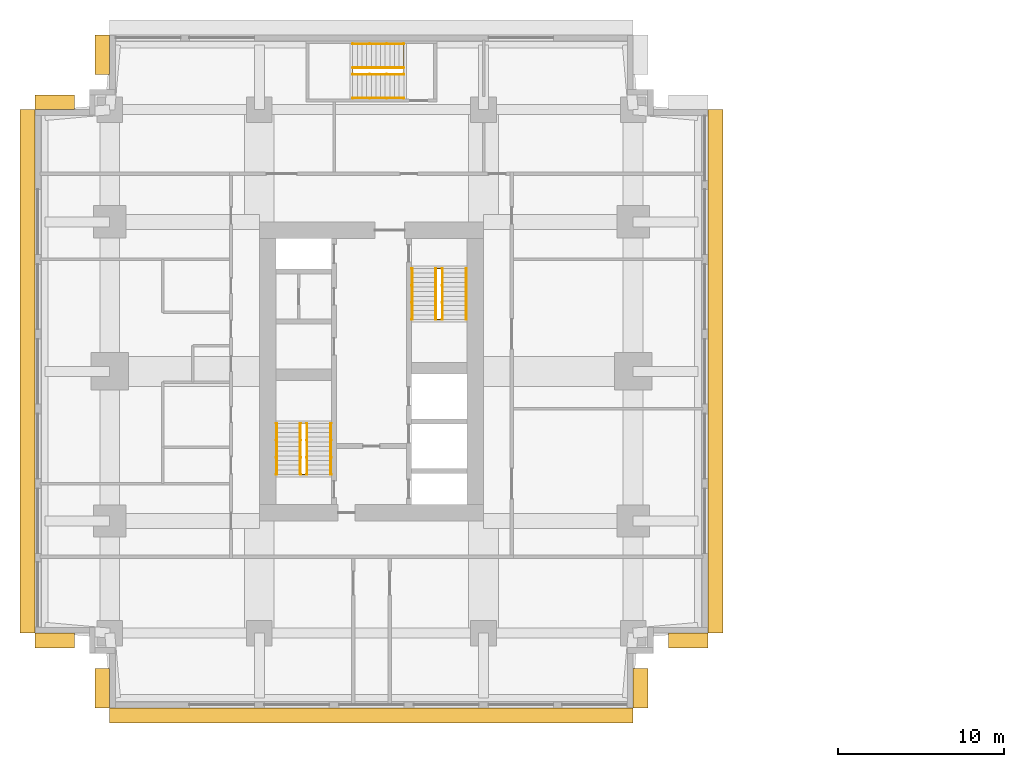
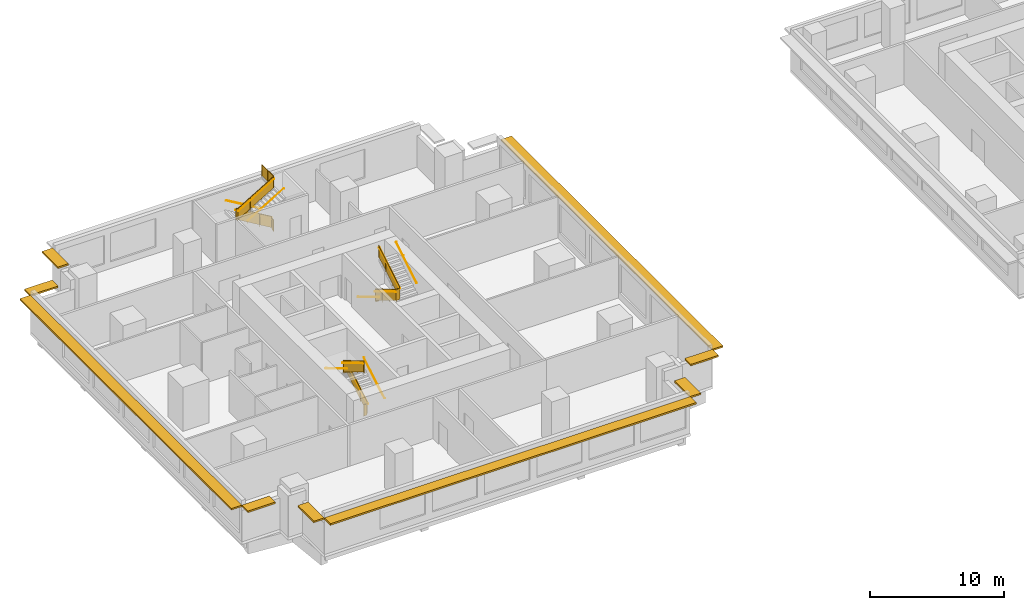
# One storey, part 9 of 10: 15 railings, 9 shading devices.
"""IFC4 building model written with IfcOpenShell, lengths in metres."""

from ifc_helpers import new_model, si_unit, direction, frame, origin, origin_2d, place, context, subcontext, project, spatial, polyline, rectangle, circle, outline, extrude, material, layer, layer_set, type_object, element, save


model = new_model("IFC4")

# Units and contexts
model_context = context("Model", 3, precision=1e-05, world=origin(), true_north=direction((0.0, 1.0)))
body_context = subcontext(model_context, "Body", "Model", "MODEL_VIEW")
ifc_project = project(units=[si_unit("LENGTHUNIT", "METRE"), si_unit("AREAUNIT", "SQUARE_METRE"), si_unit("VOLUMEUNIT", "CUBIC_METRE"), si_unit("PLANEANGLEUNIT", "RADIAN"), si_unit("MASSUNIT", "GRAM", prefix="KILO")], contexts=[model_context])

# Site, building, storey
site_placement = place(None, origin())
site = spatial("IfcSite", under=ifc_project, at=site_placement, CompositionType="ELEMENT")
building_placement = place(site_placement, origin())
building = spatial("IfcBuilding", under=site, at=building_placement, Name="Namib Vertical Campus", CompositionType="ELEMENT")
storey_placement = place(building_placement, frame((0.0, 0.0, 229.0)))
storey = spatial("IfcBuildingStorey", under=building, at=storey_placement, Name="L54", CompositionType="ELEMENT", Elevation=229.0)

# Railings
ifc_material_1 = material(Name="Steel handrail", Category="steel")
railing_type_1 = type_object("IfcRailingType", Name="Handrail 900", PredefinedType="HANDRAIL", material=ifc_material_1)
railing_1_placement = place(storey_placement, frame((17.800048828125, 14.050048828125, 0.166748046875)))
element("IfcRailing", 1, at=railing_1_placement, inside=storey, type_object=railing_type_1, Name="Handrail HR1 A-S1 L54 1", PredefinedType="HANDRAIL", context=body_context, shape_type="SweptSolid", body=[
    extrude(circle(Radius=0.02392578125, at=origin_2d()), frame((0.0, 0.0, 0.8759765625), z_axis=(0.0, 0.859290745958, 0.51148745235), x_axis=(-1.0, 0.0, 0.0)), (0.0, 0.0, 1.0), 3.584228515625),
    extrude(circle(Radius=0.008056640625, at=origin_2d()), frame((0.0, 0.0, 0.8759765625), z_axis=(1.0, 0.0, 0.0), x_axis=(0.0, 0.0, 1.0)), (0.0, 0.0, 1.0), 0.050048828125),
    extrude(circle(Radius=0.008056640625, at=origin_2d()), frame((0.0, 1.026611328125, 1.48681640625), z_axis=(1.0, 0.0, 0.0), x_axis=(0.0, 0.0, 1.0)), (0.0, 0.0, 1.0), 0.050048828125),
    extrude(circle(Radius=0.008056640625, at=origin_2d()), frame((0.0, 2.05322265625, 2.09814453125), z_axis=(1.0, 0.0, 0.0), x_axis=(0.0, 0.0, 1.0)), (0.0, 0.0, 1.0), 0.050048828125),
    extrude(circle(Radius=0.008056640625, at=origin_2d()), frame((0.0, 3.079833984375, 2.708984375), z_axis=(1.0, 0.0, 0.0), x_axis=(0.0, 0.0, 1.0)), (0.0, 0.0, 1.0), 0.050048828125),
])
railing_2_placement = place(storey_placement, frame((14.550048828125, 17.1298828125, 2.166748046875)))
element("IfcRailing", 2, at=railing_2_placement, inside=storey, type_object=railing_type_1, Name="Handrail HR1 A-S1 L54 2", PredefinedType="HANDRAIL", context=body_context, shape_type="SweptSolid", body=[
    extrude(circle(Radius=0.02392578125, at=origin_2d()), frame((0.0, 0.0, 0.8759765625), z_axis=(0.0, -0.859290745958, 0.51148745235), x_axis=(1.0, 0.0, 0.0)), (0.0, 0.0, 1.0), 3.584228515625),
    extrude(circle(Radius=0.008056640625, at=origin_2d()), frame((0.0, 0.0, 0.8759765625), z_axis=(-1.0, 0.0, 0.0), x_axis=(0.0, 0.0, 1.0)), (0.0, 0.0, 1.0), 0.050048828125),
    extrude(circle(Radius=0.008056640625, at=origin_2d()), frame((0.0, -1.026611328125, 1.48681640625), z_axis=(-1.0, 0.0, 0.0), x_axis=(0.0, 0.0, 1.0)), (0.0, 0.0, 1.0), 0.050048828125),
    extrude(circle(Radius=0.008056640625, at=origin_2d()), frame((0.0, -2.05322265625, 2.09814453125), z_axis=(-1.0, 0.0, 0.0), x_axis=(0.0, 0.0, 1.0)), (0.0, 0.0, 1.0), 0.050048828125),
    extrude(circle(Radius=0.008056640625, at=origin_2d()), frame((0.0, -3.079833984375, 2.708984375), z_axis=(-1.0, 0.0, 0.0), x_axis=(0.0, 0.0, 1.0)), (0.0, 0.0, 1.0), 0.050048828125),
])
railing_3_placement = place(storey_placement, frame((16.375, 14.050048828125, 0.166748046875)))
element("IfcRailing", 3, at=railing_3_placement, inside=storey, type_object=railing_type_1, Name="Handrail HR1 A-S1 L54 1 at the well", PredefinedType="HANDRAIL", context=body_context, shape_type="SweptSolid", body=[
    extrude(circle(Radius=0.02392578125, at=origin_2d()), frame((0.0, 0.0, 0.8759765625), z_axis=(0.0, 0.859290745958, 0.51148745235), x_axis=(-1.0, 0.0, 0.0)), (0.0, 0.0, 1.0), 3.584228515625),
    extrude(circle(Radius=0.008056640625, at=origin_2d()), frame((0.0, 0.0, 0.8759765625), z_axis=(-1.0, 0.0, 0.0), x_axis=(0.0, 0.0, 1.0)), (0.0, 0.0, 1.0), 0.0400390625),
    extrude(circle(Radius=0.008056640625, at=origin_2d()), frame((0.0, 1.026611328125, 1.48681640625), z_axis=(-1.0, 0.0, 0.0), x_axis=(0.0, 0.0, 1.0)), (0.0, 0.0, 1.0), 0.0400390625),
    extrude(circle(Radius=0.008056640625, at=origin_2d()), frame((0.0, 2.05322265625, 2.09814453125), z_axis=(-1.0, 0.0, 0.0), x_axis=(0.0, 0.0, 1.0)), (0.0, 0.0, 1.0), 0.0400390625),
    extrude(circle(Radius=0.008056640625, at=origin_2d()), frame((0.0, 3.079833984375, 2.708984375), z_axis=(-1.0, 0.0, 0.0), x_axis=(0.0, 0.0, 1.0)), (0.0, 0.0, 1.0), 0.0400390625),
])
railing_4_placement = place(storey_placement, frame((15.97509765625, 17.1298828125, 2.166748046875)))
element("IfcRailing", 4, at=railing_4_placement, inside=storey, type_object=railing_type_1, Name="Handrail HR1 A-S1 L54 2 at the well", PredefinedType="HANDRAIL", context=body_context, shape_type="SweptSolid", body=[
    extrude(circle(Radius=0.02392578125, at=origin_2d()), frame((0.0, 0.0, 0.8759765625), z_axis=(0.0, -0.859290745958, 0.51148745235), x_axis=(1.0, 0.0, 0.0)), (0.0, 0.0, 1.0), 3.584228515625),
    extrude(circle(Radius=0.008056640625, at=origin_2d()), frame((0.0, 0.0, 0.8759765625), z_axis=(1.0, 0.0, 0.0), x_axis=(0.0, 0.0, 1.0)), (0.0, 0.0, 1.0), 0.0400390625),
    extrude(circle(Radius=0.008056640625, at=origin_2d()), frame((0.0, -1.026611328125, 1.48681640625), z_axis=(1.0, 0.0, 0.0), x_axis=(0.0, 0.0, 1.0)), (0.0, 0.0, 1.0), 0.0400390625),
    extrude(circle(Radius=0.008056640625, at=origin_2d()), frame((0.0, -2.05322265625, 2.09814453125), z_axis=(1.0, 0.0, 0.0), x_axis=(0.0, 0.0, 1.0)), (0.0, 0.0, 1.0), 0.0400390625),
    extrude(circle(Radius=0.008056640625, at=origin_2d()), frame((0.0, -3.079833984375, 2.708984375), z_axis=(1.0, 0.0, 0.0), x_axis=(0.0, 0.0, 1.0)), (0.0, 0.0, 1.0), 0.0400390625),
])
railing_5_placement = place(storey_placement, frame((22.699951171875, 26.449951171875, 0.166748046875)))
element("IfcRailing", 5, at=railing_5_placement, inside=storey, type_object=railing_type_1, Name="Handrail HR1 A-S2 L54 1", PredefinedType="HANDRAIL", context=body_context, shape_type="SweptSolid", body=[
    extrude(circle(Radius=0.02392578125, at=origin_2d()), frame((0.0, 0.0, 0.8759765625), z_axis=(0.0, -0.859290745958, 0.51148745235), x_axis=(1.0, 0.0, 0.0)), (0.0, 0.0, 1.0), 3.584228515625),
    extrude(circle(Radius=0.008056640625, at=origin_2d()), frame((0.0, 0.0, 0.8759765625), z_axis=(-1.0, 0.0, 0.0), x_axis=(0.0, 0.0, 1.0)), (0.0, 0.0, 1.0), 0.050048828125),
    extrude(circle(Radius=0.008056640625, at=origin_2d()), frame((0.0, -1.026611328125, 1.48681640625), z_axis=(-1.0, 0.0, 0.0), x_axis=(0.0, 0.0, 1.0)), (0.0, 0.0, 1.0), 0.050048828125),
    extrude(circle(Radius=0.008056640625, at=origin_2d()), frame((0.0, -2.05322265625, 2.09814453125), z_axis=(-1.0, 0.0, 0.0), x_axis=(0.0, 0.0, 1.0)), (0.0, 0.0, 1.0), 0.050048828125),
    extrude(circle(Radius=0.008056640625, at=origin_2d()), frame((0.0, -3.079833984375, 2.708984375), z_axis=(-1.0, 0.0, 0.0), x_axis=(0.0, 0.0, 1.0)), (0.0, 0.0, 1.0), 0.050048828125),
])
railing_6_placement = place(storey_placement, frame((25.949951171875, 23.3701171875, 2.166748046875)))
element("IfcRailing", 6, at=railing_6_placement, inside=storey, type_object=railing_type_1, Name="Handrail HR1 A-S2 L54 2", PredefinedType="HANDRAIL", context=body_context, shape_type="SweptSolid", body=[
    extrude(circle(Radius=0.02392578125, at=origin_2d()), frame((0.0, 0.0, 0.8759765625), z_axis=(0.0, 0.859290745958, 0.51148745235), x_axis=(-1.0, 0.0, 0.0)), (0.0, 0.0, 1.0), 3.584228515625),
    extrude(circle(Radius=0.008056640625, at=origin_2d()), frame((0.0, 0.0, 0.8759765625), z_axis=(1.0, 0.0, 0.0), x_axis=(0.0, 0.0, 1.0)), (0.0, 0.0, 1.0), 0.050048828125),
    extrude(circle(Radius=0.008056640625, at=origin_2d()), frame((0.0, 1.026611328125, 1.48681640625), z_axis=(1.0, 0.0, 0.0), x_axis=(0.0, 0.0, 1.0)), (0.0, 0.0, 1.0), 0.050048828125),
    extrude(circle(Radius=0.008056640625, at=origin_2d()), frame((0.0, 2.05322265625, 2.09814453125), z_axis=(1.0, 0.0, 0.0), x_axis=(0.0, 0.0, 1.0)), (0.0, 0.0, 1.0), 0.050048828125),
    extrude(circle(Radius=0.008056640625, at=origin_2d()), frame((0.0, 3.079833984375, 2.708984375), z_axis=(1.0, 0.0, 0.0), x_axis=(0.0, 0.0, 1.0)), (0.0, 0.0, 1.0), 0.050048828125),
])
railing_7_placement = place(storey_placement, frame((24.125, 26.449951171875, 0.166748046875)))
element("IfcRailing", 7, at=railing_7_placement, inside=storey, type_object=railing_type_1, Name="Handrail HR1 A-S2 L54 1 at the well", PredefinedType="HANDRAIL", context=body_context, shape_type="SweptSolid", body=[
    extrude(circle(Radius=0.02392578125, at=origin_2d()), frame((0.0, 0.0, 0.8759765625), z_axis=(0.0, -0.859290745958, 0.51148745235), x_axis=(1.0, 0.0, 0.0)), (0.0, 0.0, 1.0), 3.584228515625),
    extrude(circle(Radius=0.008056640625, at=origin_2d()), frame((0.0, 0.0, 0.8759765625), z_axis=(1.0, 0.0, 0.0), x_axis=(0.0, 0.0, 1.0)), (0.0, 0.0, 1.0), 0.0400390625),
    extrude(circle(Radius=0.008056640625, at=origin_2d()), frame((0.0, -1.026611328125, 1.48681640625), z_axis=(1.0, 0.0, 0.0), x_axis=(0.0, 0.0, 1.0)), (0.0, 0.0, 1.0), 0.0400390625),
    extrude(circle(Radius=0.008056640625, at=origin_2d()), frame((0.0, -2.05322265625, 2.09814453125), z_axis=(1.0, 0.0, 0.0), x_axis=(0.0, 0.0, 1.0)), (0.0, 0.0, 1.0), 0.0400390625),
    extrude(circle(Radius=0.008056640625, at=origin_2d()), frame((0.0, -3.079833984375, 2.708984375), z_axis=(1.0, 0.0, 0.0), x_axis=(0.0, 0.0, 1.0)), (0.0, 0.0, 1.0), 0.0400390625),
])
railing_8_placement = place(storey_placement, frame((24.52490234375, 23.3701171875, 2.166748046875)))
element("IfcRailing", 8, at=railing_8_placement, inside=storey, type_object=railing_type_1, Name="Handrail HR1 A-S2 L54 2 at the well", PredefinedType="HANDRAIL", context=body_context, shape_type="SweptSolid", body=[
    extrude(circle(Radius=0.02392578125, at=origin_2d()), frame((0.0, 0.0, 0.8759765625), z_axis=(0.0, 0.859290745958, 0.51148745235), x_axis=(-1.0, 0.0, 0.0)), (0.0, 0.0, 1.0), 3.584228515625),
    extrude(circle(Radius=0.008056640625, at=origin_2d()), frame((0.0, 0.0, 0.8759765625), z_axis=(-1.0, 0.0, 0.0), x_axis=(0.0, 0.0, 1.0)), (0.0, 0.0, 1.0), 0.0400390625),
    extrude(circle(Radius=0.008056640625, at=origin_2d()), frame((0.0, 1.026611328125, 1.48681640625), z_axis=(-1.0, 0.0, 0.0), x_axis=(0.0, 0.0, 1.0)), (0.0, 0.0, 1.0), 0.0400390625),
    extrude(circle(Radius=0.008056640625, at=origin_2d()), frame((0.0, 2.05322265625, 2.09814453125), z_axis=(-1.0, 0.0, 0.0), x_axis=(0.0, 0.0, 1.0)), (0.0, 0.0, 1.0), 0.0400390625),
    extrude(circle(Radius=0.008056640625, at=origin_2d()), frame((0.0, 3.079833984375, 2.708984375), z_axis=(-1.0, 0.0, 0.0), x_axis=(0.0, 0.0, 1.0)), (0.0, 0.0, 1.0), 0.0400390625),
])
railing_9_placement = place(storey_placement, frame((22.199951171875, 39.949951171875, 0.166748046875)))
element("IfcRailing", 9, at=railing_9_placement, inside=storey, type_object=railing_type_1, Name="Handrail HR1 A-S3 L54 1", PredefinedType="HANDRAIL", context=body_context, shape_type="SweptSolid", body=[
    extrude(circle(Radius=0.02392578125, at=origin_2d()), frame((0.0, 0.0, 0.8759765625), z_axis=(-0.859290745958, 0.0, 0.51148745235), x_axis=(0.0, -1.0, 0.0)), (0.0, 0.0, 1.0), 3.584228515625),
    extrude(circle(Radius=0.008056640625, at=origin_2d()), frame((0.0, 0.0, 0.8759765625), z_axis=(0.0, 1.0, 0.0), x_axis=(0.0, 0.0, 1.0)), (0.0, 0.0, 1.0), 0.050048828125),
    extrude(circle(Radius=0.008056640625, at=origin_2d()), frame((-1.026611328125, 0.0, 1.48681640625), z_axis=(0.0, 1.0, 0.0), x_axis=(0.0, 0.0, 1.0)), (0.0, 0.0, 1.0), 0.050048828125),
    extrude(circle(Radius=0.008056640625, at=origin_2d()), frame((-2.05322265625, 0.0, 2.09814453125), z_axis=(0.0, 1.0, 0.0), x_axis=(0.0, 0.0, 1.0)), (0.0, 0.0, 1.0), 0.050048828125),
    extrude(circle(Radius=0.008056640625, at=origin_2d()), frame((-3.079833984375, 0.0, 2.708984375), z_axis=(0.0, 1.0, 0.0), x_axis=(0.0, 0.0, 1.0)), (0.0, 0.0, 1.0), 0.050048828125),
])
railing_10_placement = place(storey_placement, frame((19.1201171875, 36.699951171875, 2.166748046875)))
element("IfcRailing", 10, at=railing_10_placement, inside=storey, type_object=railing_type_1, Name="Handrail HR1 A-S3 L54 2", PredefinedType="HANDRAIL", context=body_context, shape_type="SweptSolid", body=[
    extrude(circle(Radius=0.02392578125, at=origin_2d()), frame((0.0, 0.0, 0.8759765625), z_axis=(0.859290745958, 0.0, 0.51148745235), x_axis=(0.0, 1.0, 0.0)), (0.0, 0.0, 1.0), 3.584228515625),
    extrude(circle(Radius=0.008056640625, at=origin_2d()), frame((0.0, 0.0, 0.8759765625), z_axis=(0.0, -1.0, 0.0), x_axis=(0.0, 0.0, 1.0)), (0.0, 0.0, 1.0), 0.050048828125),
    extrude(circle(Radius=0.008056640625, at=origin_2d()), frame((1.026611328125, 0.0, 1.48681640625), z_axis=(0.0, -1.0, 0.0), x_axis=(0.0, 0.0, 1.0)), (0.0, 0.0, 1.0), 0.050048828125),
    extrude(circle(Radius=0.008056640625, at=origin_2d()), frame((2.05322265625, 0.0, 2.09814453125), z_axis=(0.0, -1.0, 0.0), x_axis=(0.0, 0.0, 1.0)), (0.0, 0.0, 1.0), 0.050048828125),
    extrude(circle(Radius=0.008056640625, at=origin_2d()), frame((3.079833984375, 0.0, 2.708984375), z_axis=(0.0, -1.0, 0.0), x_axis=(0.0, 0.0, 1.0)), (0.0, 0.0, 1.0), 0.050048828125),
])
railing_11_placement = place(storey_placement, frame((22.199951171875, 38.52490234375, 0.166748046875)))
element("IfcRailing", 11, at=railing_11_placement, inside=storey, type_object=railing_type_1, Name="Handrail HR1 A-S3 L54 1 at the well", PredefinedType="HANDRAIL", context=body_context, shape_type="SweptSolid", body=[
    extrude(circle(Radius=0.02392578125, at=origin_2d()), frame((0.0, 0.0, 0.8759765625), z_axis=(-0.859290745958, 0.0, 0.51148745235), x_axis=(0.0, -1.0, 0.0)), (0.0, 0.0, 1.0), 3.584228515625),
    extrude(circle(Radius=0.008056640625, at=origin_2d()), frame((0.0, 0.0, 0.8759765625), z_axis=(0.0, -1.0, 0.0), x_axis=(0.0, 0.0, 1.0)), (0.0, 0.0, 1.0), 0.0400390625),
    extrude(circle(Radius=0.008056640625, at=origin_2d()), frame((-1.026611328125, 0.0, 1.48681640625), z_axis=(0.0, -1.0, 0.0), x_axis=(0.0, 0.0, 1.0)), (0.0, 0.0, 1.0), 0.0400390625),
    extrude(circle(Radius=0.008056640625, at=origin_2d()), frame((-2.05322265625, 0.0, 2.09814453125), z_axis=(0.0, -1.0, 0.0), x_axis=(0.0, 0.0, 1.0)), (0.0, 0.0, 1.0), 0.0400390625),
    extrude(circle(Radius=0.008056640625, at=origin_2d()), frame((-3.079833984375, 0.0, 2.708984375), z_axis=(0.0, -1.0, 0.0), x_axis=(0.0, 0.0, 1.0)), (0.0, 0.0, 1.0), 0.0400390625),
])
railing_12_placement = place(storey_placement, frame((19.1201171875, 38.125, 2.166748046875)))
element("IfcRailing", 12, at=railing_12_placement, inside=storey, type_object=railing_type_1, Name="Handrail HR1 A-S3 L54 2 at the well", PredefinedType="HANDRAIL", context=body_context, shape_type="SweptSolid", body=[
    extrude(circle(Radius=0.02392578125, at=origin_2d()), frame((0.0, 0.0, 0.8759765625), z_axis=(0.859290745958, 0.0, 0.51148745235), x_axis=(0.0, 1.0, 0.0)), (0.0, 0.0, 1.0), 3.584228515625),
    extrude(circle(Radius=0.008056640625, at=origin_2d()), frame((0.0, 0.0, 0.8759765625), z_axis=(0.0, 1.0, 0.0), x_axis=(0.0, 0.0, 1.0)), (0.0, 0.0, 1.0), 0.0400390625),
    extrude(circle(Radius=0.008056640625, at=origin_2d()), frame((1.026611328125, 0.0, 1.48681640625), z_axis=(0.0, 1.0, 0.0), x_axis=(0.0, 0.0, 1.0)), (0.0, 0.0, 1.0), 0.0400390625),
    extrude(circle(Radius=0.008056640625, at=origin_2d()), frame((2.05322265625, 0.0, 2.09814453125), z_axis=(0.0, 1.0, 0.0), x_axis=(0.0, 0.0, 1.0)), (0.0, 0.0, 1.0), 0.0400390625),
    extrude(circle(Radius=0.008056640625, at=origin_2d()), frame((3.079833984375, 0.0, 2.708984375), z_axis=(0.0, 1.0, 0.0), x_axis=(0.0, 0.0, 1.0)), (0.0, 0.0, 1.0), 0.0400390625),
])
ifc_material_2 = material(Name="Steel balustrade", Category="steel")
railing_type_2 = type_object("IfcRailingType", Name="Stair guard 1100", PredefinedType="GUARDRAIL", material=ifc_material_2)
railing_13_placement = place(storey_placement, frame((16.02490234375, 14.050048828125, 0.0)))
element("IfcRailing", 13, at=railing_13_placement, inside=storey, type_object=railing_type_2, Name="Stair guard GR1 A-S1 L54", PredefinedType="GUARDRAIL", context=body_context, shape_type="SweptSolid", body=[
    extrude(circle(Radius=0.02392578125, at=origin_2d()), frame((0.0, 0.0, 1.076171875), z_axis=(1.0, 0.0, 0.0), x_axis=(0.0, 1.0, 0.0)), (0.0, 0.0, 1.0), 0.300048828125),
    extrude(outline(polyline([(0.02099609375, 0.050048828125), (0.279052734375, 0.050048828125), (0.279052734375, 1.052001953125), (0.02099609375, 1.052001953125), (0.02099609375, 0.050048828125)])), frame((0.0, 0.010009765625, 0.0), z_axis=(0.0, -1.0, 0.0), x_axis=(1.0, 0.0, 0.0)), (0.0, 0.0, 1.0), 0.02001953125),
    extrude(circle(Radius=0.02392578125, at=origin_2d()), frame((0.300048828125, 0.0, 1.076171875), z_axis=(0.0, 0.0, 1.0), x_axis=(1.0, 0.0, 0.0)), (0.0, 0.0, 1.0), 0.166748046875),
    extrude(circle(Radius=0.02392578125, at=origin_2d()), frame((0.300048828125, 0.0, 1.24267578125), z_axis=(0.0, 0.859290745958, 0.51148745235), x_axis=(-1.0, 0.0, 0.0)), (0.0, 0.0, 1.0), 3.584228515625),
    extrude(outline(polyline([(0.02099609375, 0.0625), (3.058837890625, 1.870849609375), (3.058837890625, 2.872802734375), (0.02099609375, 1.064453125), (0.02099609375, 0.0625)])), frame((0.2900390625, 0.0, 0.166748046875), z_axis=(1.0, 0.0, 0.0), x_axis=(0.0, 1.0, 0.0)), (0.0, 0.0, 1.0), 0.02001953125),
    extrude(circle(Radius=0.02392578125, at=origin_2d()), frame((0.300048828125, 3.079833984375, 3.076171875), z_axis=(-1.0, 0.0, 0.0), x_axis=(0.0, -1.0, 0.0)), (0.0, 0.0, 1.0), 0.300048828125),
    extrude(outline(polyline([(0.02099609375, 0.050048828125), (0.279052734375, 0.050048828125), (0.279052734375, 1.052001953125), (0.02099609375, 1.052001953125), (0.02099609375, 0.050048828125)])), frame((0.300048828125, 3.06982421875, 2.0), z_axis=(0.0, 1.0, 0.0), x_axis=(-1.0, 0.0, 0.0)), (0.0, 0.0, 1.0), 0.02001953125),
    extrude(circle(Radius=0.02392578125, at=origin_2d()), frame((0.0, 3.079833984375, 3.076171875), z_axis=(0.0, 0.0, 1.0), x_axis=(1.0, 0.0, 0.0)), (0.0, 0.0, 1.0), 0.166748046875),
    extrude(circle(Radius=0.02392578125, at=origin_2d()), frame((0.0, 3.079833984375, 3.24267578125), z_axis=(0.0, -0.859290745958, 0.51148745235), x_axis=(1.0, 0.0, 0.0)), (0.0, 0.0, 1.0), 3.584228515625),
    extrude(outline(polyline([(0.02099609375, 0.0625), (3.058837890625, 1.870849609375), (3.058837890625, 2.872802734375), (0.02099609375, 1.064453125), (0.02099609375, 0.0625)])), frame((0.010009765625, 3.079833984375, 2.166748046875), z_axis=(-1.0, 0.0, 0.0), x_axis=(0.0, -1.0, 0.0)), (0.0, 0.0, 1.0), 0.02001953125),
    extrude(circle(Radius=0.02392578125, at=origin_2d()), frame((0.0, 0.0, 5.076171875), z_axis=(0.0, -1.0, 0.0), x_axis=(1.0, 0.0, 0.0)), (0.0, 0.0, 1.0), 0.050048828125),
    extrude(outline(polyline([(0.02099609375, 0.050048828125), (0.029052734375, 0.050048828125), (0.029052734375, 1.052001953125), (0.02099609375, 1.052001953125), (0.02099609375, 0.050048828125)])), frame((0.010009765625, 0.0, 4.0), z_axis=(-1.0, 0.0, 0.0), x_axis=(0.0, -1.0, 0.0)), (0.0, 0.0, 1.0), 0.02001953125),
    extrude(circle(Radius=0.02099609375, at=origin_2d()), origin(), (0.0, 0.0, 1.0), 1.052001953125),
    extrude(circle(Radius=0.02099609375, at=origin_2d()), frame((0.300048828125, 0.0, 0.166748046875)), (0.0, 0.0, 1.0), 1.052001953125),
    extrude(circle(Radius=0.02099609375, at=origin_2d()), frame((0.300048828125, 1.026611328125, 0.666748046875)), (0.0, 0.0, 1.0), 1.1630859375),
    extrude(circle(Radius=0.02099609375, at=origin_2d()), frame((0.300048828125, 2.05322265625, 1.33349609375)), (0.0, 0.0, 1.0), 1.107421875),
    extrude(circle(Radius=0.02099609375, at=origin_2d()), frame((0.300048828125, 3.079833984375, 2.0)), (0.0, 0.0, 1.0), 1.052001953125),
    extrude(circle(Radius=0.02099609375, at=origin_2d()), frame((0.0, 3.079833984375, 2.166748046875)), (0.0, 0.0, 1.0), 1.052001953125),
    extrude(circle(Radius=0.02099609375, at=origin_2d()), frame((0.0, 2.05322265625, 2.666748046875)), (0.0, 0.0, 1.0), 1.1630859375),
    extrude(circle(Radius=0.02099609375, at=origin_2d()), frame((0.0, 1.026611328125, 3.33349609375)), (0.0, 0.0, 1.0), 1.107421875),
    extrude(circle(Radius=0.02099609375, at=origin_2d()), frame((0.0, 0.0, 4.0)), (0.0, 0.0, 1.0), 1.052001953125),
    extrude(circle(Radius=0.02099609375, at=origin_2d()), frame((0.0, -0.050048828125, 4.0)), (0.0, 0.0, 1.0), 1.052001953125),
])
railing_14_placement = place(storey_placement, frame((24.47509765625, 26.449951171875, 0.0)))
element("IfcRailing", 14, at=railing_14_placement, inside=storey, type_object=railing_type_2, Name="Stair guard GR1 A-S2 L54", PredefinedType="GUARDRAIL", context=body_context, shape_type="SweptSolid", body=[
    extrude(circle(Radius=0.02392578125, at=origin_2d()), frame((0.0, 0.0, 1.076171875), z_axis=(-1.0, 0.0, 0.0), x_axis=(0.0, -1.0, 0.0)), (0.0, 0.0, 1.0), 0.300048828125),
    extrude(outline(polyline([(0.02099609375, 0.050048828125), (0.279052734375, 0.050048828125), (0.279052734375, 1.052001953125), (0.02099609375, 1.052001953125), (0.02099609375, 0.050048828125)])), frame((0.0, -0.010009765625, 0.0), z_axis=(0.0, 1.0, 0.0), x_axis=(-1.0, 0.0, 0.0)), (0.0, 0.0, 1.0), 0.02001953125),
    extrude(circle(Radius=0.02392578125, at=origin_2d()), frame((-0.300048828125, 0.0, 1.076171875), z_axis=(0.0, 0.0, 1.0), x_axis=(1.0, 0.0, 0.0)), (0.0, 0.0, 1.0), 0.166748046875),
    extrude(circle(Radius=0.02392578125, at=origin_2d()), frame((-0.300048828125, 0.0, 1.24267578125), z_axis=(0.0, -0.859290745958, 0.51148745235), x_axis=(1.0, 0.0, 0.0)), (0.0, 0.0, 1.0), 3.584228515625),
    extrude(outline(polyline([(0.02099609375, 0.0625), (3.058837890625, 1.870849609375), (3.058837890625, 2.872802734375), (0.02099609375, 1.064453125), (0.02099609375, 0.0625)])), frame((-0.2900390625, 0.0, 0.166748046875), z_axis=(-1.0, 0.0, 0.0), x_axis=(0.0, -1.0, 0.0)), (0.0, 0.0, 1.0), 0.02001953125),
    extrude(circle(Radius=0.02392578125, at=origin_2d()), frame((-0.300048828125, -3.079833984375, 3.076171875), z_axis=(1.0, 0.0, 0.0), x_axis=(0.0, 1.0, 0.0)), (0.0, 0.0, 1.0), 0.300048828125),
    extrude(outline(polyline([(0.02099609375, 0.050048828125), (0.279052734375, 0.050048828125), (0.279052734375, 1.052001953125), (0.02099609375, 1.052001953125), (0.02099609375, 0.050048828125)])), frame((-0.300048828125, -3.06982421875, 2.0), z_axis=(0.0, -1.0, 0.0), x_axis=(1.0, 0.0, 0.0)), (0.0, 0.0, 1.0), 0.02001953125),
    extrude(circle(Radius=0.02392578125, at=origin_2d()), frame((0.0, -3.079833984375, 3.076171875), z_axis=(0.0, 0.0, 1.0), x_axis=(1.0, 0.0, 0.0)), (0.0, 0.0, 1.0), 0.166748046875),
    extrude(circle(Radius=0.02392578125, at=origin_2d()), frame((0.0, -3.079833984375, 3.24267578125), z_axis=(0.0, 0.859290745958, 0.51148745235), x_axis=(-1.0, 0.0, 0.0)), (0.0, 0.0, 1.0), 3.584228515625),
    extrude(outline(polyline([(0.02099609375, 0.0625), (3.058837890625, 1.870849609375), (3.058837890625, 2.872802734375), (0.02099609375, 1.064453125), (0.02099609375, 0.0625)])), frame((-0.010009765625, -3.079833984375, 2.166748046875), z_axis=(1.0, 0.0, 0.0), x_axis=(0.0, 1.0, 0.0)), (0.0, 0.0, 1.0), 0.02001953125),
    extrude(circle(Radius=0.02392578125, at=origin_2d()), frame((0.0, 0.0, 5.076171875), z_axis=(0.0, 1.0, 0.0), x_axis=(-1.0, 0.0, 0.0)), (0.0, 0.0, 1.0), 0.050048828125),
    extrude(outline(polyline([(0.02099609375, 0.050048828125), (0.029052734375, 0.050048828125), (0.029052734375, 1.052001953125), (0.02099609375, 1.052001953125), (0.02099609375, 0.050048828125)])), frame((-0.010009765625, 0.0, 4.0), z_axis=(1.0, 0.0, 0.0), x_axis=(0.0, 1.0, 0.0)), (0.0, 0.0, 1.0), 0.02001953125),
    extrude(circle(Radius=0.02099609375, at=origin_2d()), origin(), (0.0, 0.0, 1.0), 1.052001953125),
    extrude(circle(Radius=0.02099609375, at=origin_2d()), frame((-0.300048828125, 0.0, 0.166748046875)), (0.0, 0.0, 1.0), 1.052001953125),
    extrude(circle(Radius=0.02099609375, at=origin_2d()), frame((-0.300048828125, -1.026611328125, 0.666748046875)), (0.0, 0.0, 1.0), 1.1630859375),
    extrude(circle(Radius=0.02099609375, at=origin_2d()), frame((-0.300048828125, -2.05322265625, 1.33349609375)), (0.0, 0.0, 1.0), 1.107421875),
    extrude(circle(Radius=0.02099609375, at=origin_2d()), frame((-0.300048828125, -3.079833984375, 2.0)), (0.0, 0.0, 1.0), 1.052001953125),
    extrude(circle(Radius=0.02099609375, at=origin_2d()), frame((0.0, -3.079833984375, 2.166748046875)), (0.0, 0.0, 1.0), 1.052001953125),
    extrude(circle(Radius=0.02099609375, at=origin_2d()), frame((0.0, -2.05322265625, 2.666748046875)), (0.0, 0.0, 1.0), 1.1630859375),
    extrude(circle(Radius=0.02099609375, at=origin_2d()), frame((0.0, -1.026611328125, 3.33349609375)), (0.0, 0.0, 1.0), 1.107421875),
    extrude(circle(Radius=0.02099609375, at=origin_2d()), frame((0.0, 0.0, 4.0)), (0.0, 0.0, 1.0), 1.052001953125),
    extrude(circle(Radius=0.02099609375, at=origin_2d()), frame((0.0, 0.050048828125, 4.0)), (0.0, 0.0, 1.0), 1.052001953125),
])
railing_15_placement = place(storey_placement, frame((22.199951171875, 38.175048828125, 0.0)))
element("IfcRailing", 15, at=railing_15_placement, inside=storey, type_object=railing_type_2, Name="Stair guard GR1 A-S3 L54", PredefinedType="GUARDRAIL", context=body_context, shape_type="SweptSolid", body=[
    extrude(circle(Radius=0.02392578125, at=origin_2d()), frame((0.0, 0.0, 1.076171875), z_axis=(0.0, 1.0, 0.0), x_axis=(-1.0, 0.0, 0.0)), (0.0, 0.0, 1.0), 0.300048828125),
    extrude(outline(polyline([(0.02099609375, 0.050048828125), (0.279052734375, 0.050048828125), (0.279052734375, 1.052001953125), (0.02099609375, 1.052001953125), (0.02099609375, 0.050048828125)])), frame((-0.010009765625, 0.0, 0.0), z_axis=(1.0, 0.0, 0.0), x_axis=(0.0, 1.0, 0.0)), (0.0, 0.0, 1.0), 0.02001953125),
    extrude(circle(Radius=0.02392578125, at=origin_2d()), frame((0.0, 0.300048828125, 1.076171875), z_axis=(0.0, 0.0, 1.0), x_axis=(1.0, 0.0, 0.0)), (0.0, 0.0, 1.0), 0.166748046875),
    extrude(circle(Radius=0.02392578125, at=origin_2d()), frame((0.0, 0.300048828125, 1.24267578125), z_axis=(-0.859290745958, 0.0, 0.51148745235), x_axis=(0.0, -1.0, 0.0)), (0.0, 0.0, 1.0), 3.584228515625),
    extrude(outline(polyline([(0.02099609375, 0.0625), (3.058837890625, 1.870849609375), (3.058837890625, 2.872802734375), (0.02099609375, 1.064453125), (0.02099609375, 0.0625)])), frame((0.0, 0.2900390625, 0.166748046875), z_axis=(0.0, 1.0, 0.0), x_axis=(-1.0, 0.0, 0.0)), (0.0, 0.0, 1.0), 0.02001953125),
    extrude(circle(Radius=0.02392578125, at=origin_2d()), frame((-3.079833984375, 0.300048828125, 3.076171875), z_axis=(0.0, -1.0, 0.0), x_axis=(1.0, 0.0, 0.0)), (0.0, 0.0, 1.0), 0.300048828125),
    extrude(outline(polyline([(0.02099609375, 0.050048828125), (0.279052734375, 0.050048828125), (0.279052734375, 1.052001953125), (0.02099609375, 1.052001953125), (0.02099609375, 0.050048828125)])), frame((-3.06982421875, 0.300048828125, 2.0), z_axis=(-1.0, 0.0, 0.0), x_axis=(0.0, -1.0, 0.0)), (0.0, 0.0, 1.0), 0.02001953125),
    extrude(circle(Radius=0.02392578125, at=origin_2d()), frame((-3.079833984375, 0.0, 3.076171875), z_axis=(0.0, 0.0, 1.0), x_axis=(1.0, 0.0, 0.0)), (0.0, 0.0, 1.0), 0.166748046875),
    extrude(circle(Radius=0.02392578125, at=origin_2d()), frame((-3.079833984375, 0.0, 3.24267578125), z_axis=(0.859290745958, 0.0, 0.51148745235), x_axis=(0.0, 1.0, 0.0)), (0.0, 0.0, 1.0), 3.584228515625),
    extrude(outline(polyline([(0.02099609375, 0.0625), (3.058837890625, 1.870849609375), (3.058837890625, 2.872802734375), (0.02099609375, 1.064453125), (0.02099609375, 0.0625)])), frame((-3.079833984375, 0.010009765625, 2.166748046875), z_axis=(0.0, -1.0, 0.0), x_axis=(1.0, 0.0, 0.0)), (0.0, 0.0, 1.0), 0.02001953125),
    extrude(circle(Radius=0.02392578125, at=origin_2d()), frame((0.0, 0.0, 5.076171875), z_axis=(0.0, 1.0, 0.0), x_axis=(-1.0, 0.0, 0.0)), (0.0, 0.0, 1.0), 1.77490234375),
    extrude(outline(polyline([(0.02099609375, 0.050048828125), (1.75390625, 0.050048828125), (1.75390625, 1.052001953125), (0.02099609375, 1.052001953125), (0.02099609375, 0.050048828125)])), frame((-0.010009765625, 0.0, 4.0), z_axis=(1.0, 0.0, 0.0), x_axis=(0.0, 1.0, 0.0)), (0.0, 0.0, 1.0), 0.02001953125),
    extrude(circle(Radius=0.02099609375, at=origin_2d()), origin(), (0.0, 0.0, 1.0), 1.052001953125),
    extrude(circle(Radius=0.02099609375, at=origin_2d()), frame((0.0, 0.300048828125, 0.166748046875)), (0.0, 0.0, 1.0), 1.052001953125),
    extrude(circle(Radius=0.02099609375, at=origin_2d()), frame((-1.026611328125, 0.300048828125, 0.666748046875)), (0.0, 0.0, 1.0), 1.1630859375),
    extrude(circle(Radius=0.02099609375, at=origin_2d()), frame((-2.05322265625, 0.300048828125, 1.33349609375)), (0.0, 0.0, 1.0), 1.107421875),
    extrude(circle(Radius=0.02099609375, at=origin_2d()), frame((-3.079833984375, 0.300048828125, 2.0)), (0.0, 0.0, 1.0), 1.052001953125),
    extrude(circle(Radius=0.02099609375, at=origin_2d()), frame((-3.079833984375, 0.0, 2.166748046875)), (0.0, 0.0, 1.0), 1.052001953125),
    extrude(circle(Radius=0.02099609375, at=origin_2d()), frame((-2.05322265625, 0.0, 2.666748046875)), (0.0, 0.0, 1.0), 1.1630859375),
    extrude(circle(Radius=0.02099609375, at=origin_2d()), frame((-1.026611328125, 0.0, 3.33349609375)), (0.0, 0.0, 1.0), 1.107421875),
    extrude(circle(Radius=0.02099609375, at=origin_2d()), frame((0.0, 0.0, 4.0)), (0.0, 0.0, 1.0), 1.052001953125),
    extrude(circle(Radius=0.02099609375, at=origin_2d()), frame((0.0, 0.887451171875, 4.0)), (0.0, 0.0, 1.0), 1.052001953125),
    extrude(circle(Radius=0.02099609375, at=origin_2d()), frame((0.0, 1.77490234375, 4.0)), (0.0, 0.0, 1.0), 1.052001953125),
])

# Shading devices
ifc_material_3 = material(Name="Concrete C40/50 precast", Category="concrete")
ifc_layer = layer(ifc_material_3, 0.14990234375)
ifc_layer_set = layer_set([ifc_layer], Name="Concrete C40/50 precast")
shading_device_type = type_object("IfcShadingDeviceType", Name="Sunshade hood 900", PredefinedType="SHUTTER", material=ifc_layer_set)
shading_device_1_placement = place(storey_placement, frame((20.25, -0.449951171875, 3.199951171875), z_axis=(0.0, 0.0, 1.0), x_axis=(1.0, 0.0, 0.0)))
element("IfcShadingDevice", 16, at=shading_device_1_placement, inside=storey, type_object=shading_device_type, Name="Sunshade SH1 L54 1", PredefinedType="SHUTTER", context=body_context, shape_type="SweptSolid", body=[
    extrude(rectangle(XDim=31.5, YDim=0.89990234375, at=origin_2d()), origin(), (0.0, 0.0, 1.0), 0.14990234375),
])
for number, where, z_axis, x_axis, name in (
    (17, (36.449951171875, 1.1875, 3.199951171875), (0.0, 0.0, 1.0), (0.0, 1.0, 0.0), "Sunshade SH1 L54 2"),
    (18, (39.3125, 4.050048828125, 3.199951171875), (0.0, 0.0, 1.0), (1.0, 0.0, 0.0), "Sunshade SH1 L54 5"),
):
    element("IfcShadingDevice", number, at=place(storey_placement, frame(where, z_axis=z_axis, x_axis=x_axis)), inside=storey, type_object=shading_device_type, Name=name, PredefinedType="SHUTTER", context=body_context, shape_type="SweptSolid", body=[
        extrude(rectangle(XDim=2.375, YDim=0.89990234375, at=origin_2d()), origin(), (0.0, 0.0, 1.0), 0.14990234375),
    ])
shading_device_2_placement = place(storey_placement, frame((40.949951171875, 20.25, 3.199951171875), z_axis=(0.0, 0.0, 1.0), x_axis=(0.0, 1.0, 0.0)))
element("IfcShadingDevice", 19, at=shading_device_2_placement, inside=storey, type_object=shading_device_type, Name="Sunshade SH1 L54 6", PredefinedType="SHUTTER", context=body_context, shape_type="SweptSolid", body=[
    extrude(rectangle(XDim=31.5, YDim=0.89990234375, at=origin_2d()), origin(), (0.0, 0.0, 1.0), 0.14990234375),
])
for number, where, z_axis, x_axis, name in (
    (20, (4.050048828125, 39.3125, 3.199951171875), (0.0, 0.0, 1.0), (0.0, -1.0, 0.0), "Sunshade SH1 L54 12"),
    (21, (1.1875, 36.449951171875, 3.199951171875), (0.0, 0.0, 1.0), (-1.0, 0.0, 0.0), "Sunshade SH1 L54 15"),
):
    element("IfcShadingDevice", number, at=place(storey_placement, frame(where, z_axis=z_axis, x_axis=x_axis)), inside=storey, type_object=shading_device_type, Name=name, PredefinedType="SHUTTER", context=body_context, shape_type="SweptSolid", body=[
        extrude(rectangle(XDim=2.375, YDim=0.89990234375, at=origin_2d()), origin(), (0.0, 0.0, 1.0), 0.14990234375),
    ])
shading_device_3_placement = place(storey_placement, frame((-0.449951171875, 20.25, 3.199951171875), z_axis=(0.0, 0.0, 1.0), x_axis=(0.0, -1.0, 0.0)))
element("IfcShadingDevice", 22, at=shading_device_3_placement, inside=storey, type_object=shading_device_type, Name="Sunshade SH1 L54 16", PredefinedType="SHUTTER", context=body_context, shape_type="SweptSolid", body=[
    extrude(rectangle(XDim=31.5, YDim=0.89990234375, at=origin_2d()), origin(), (0.0, 0.0, 1.0), 0.14990234375),
])
for number, where, z_axis, x_axis, name in (
    (23, (1.1875, 4.050048828125, 3.199951171875), (0.0, 0.0, 1.0), (1.0, 0.0, 0.0), "Sunshade SH1 L54 17"),
    (24, (4.050048828125, 1.1875, 3.199951171875), (0.0, 0.0, 1.0), (0.0, -1.0, 0.0), "Sunshade SH1 L54 20"),
):
    element("IfcShadingDevice", number, at=place(storey_placement, frame(where, z_axis=z_axis, x_axis=x_axis)), inside=storey, type_object=shading_device_type, Name=name, PredefinedType="SHUTTER", context=body_context, shape_type="SweptSolid", body=[
        extrude(rectangle(XDim=2.375, YDim=0.89990234375, at=origin_2d()), origin(), (0.0, 0.0, 1.0), 0.14990234375),
    ])

save(model, "model.ifc")
